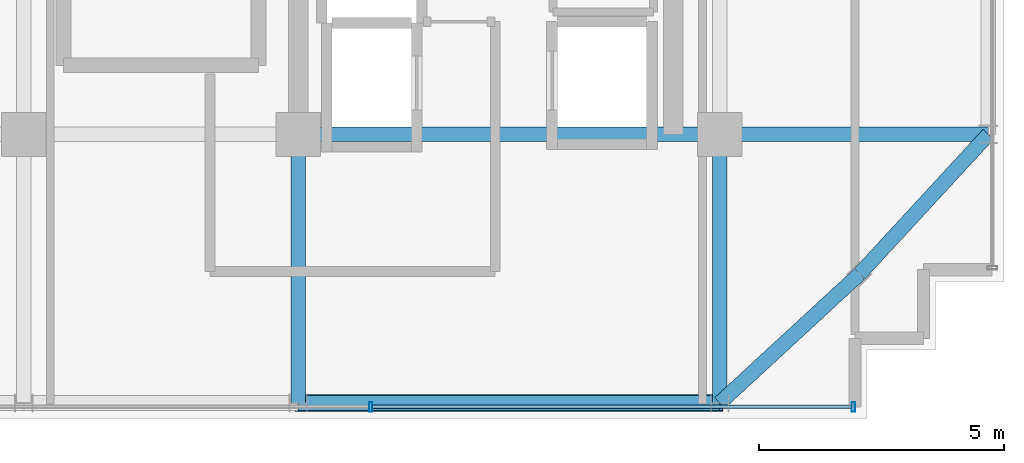
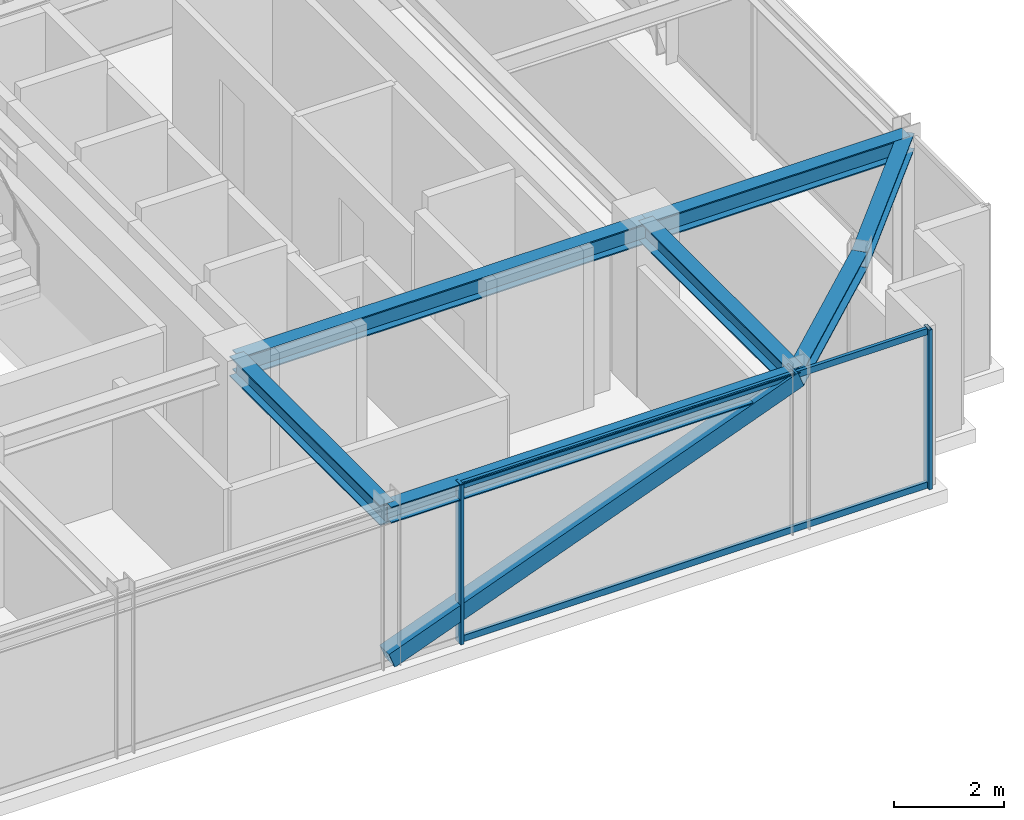
# One storey, part 16 of 40: 7 beams, 5 members, 1 element without a shape of its own.
"""IFC4 building model written with IfcOpenShell, lengths in metres."""

import ifcopenshell
import ifcopenshell.guid

model = None  # the IFC model being written
_history = None  # IfcOwnerHistory: only IFC2X3 demands one
_inside = {}  # id of a spatial element -> (the spatial element, [elements in it])
_under = {}  # id of a project, library or spatial element -> (it, [spatial elements below it])
_declared = {}  # id of a project -> (the project, [libraries it declares])
_typed = {}  # id of a type object -> (the type object, [elements of that type])
_made_of = {}  # id of a material, layer set ... -> (it, [elements and type objects made of it])


def new_model(schema):
    """Start an empty IFC model of exactly this schema.

    Asked for "IFC4X3", IfcOpenShell would pick the latest addendum, in which some entities
    have other attributes; the version numbers below select the first issue.
    IFC2X3 requires an IfcOwnerHistory on every rooted entity: one is made here for all.
    """
    global model, _history
    if schema == "IFC4X3":
        model = ifcopenshell.file(schema_version=(4, 3, 0, 0))
    else:
        model = ifcopenshell.file(schema=schema)
    _inside.clear()
    _under.clear()
    _declared.clear()
    _typed.clear()
    _made_of.clear()
    _history = None
    if model.schema == "IFC2X3":
        org = make("IfcOrganization", Name="unknown")
        user = make(
            "IfcPersonAndOrganization",
            ThePerson=make("IfcPerson", FamilyName="unknown"),
            TheOrganization=org,
        )
        app = make(
            "IfcApplication",
            ApplicationDeveloper=org,
            Version="unknown",
            ApplicationFullName="unknown",
            ApplicationIdentifier="unknown",
        )
        _history = make(
            "IfcOwnerHistory",
            OwningUser=user,
            OwningApplication=app,
            ChangeAction="ADDED",
            CreationDate=0,
        )
    return model


def make(cls, **values):
    """One entity of the class cls with the attributes given. An attribute that is None is left unset."""
    return model.create_entity(
        cls, **{name: value for name, value in values.items() if value is not None}
    )


def rooted(cls, **values):
    """An entity with a GlobalId (a new one), such as an element, a storey or a relation."""
    return make(cls, GlobalId=ifcopenshell.guid.new(), OwnerHistory=_history, **values)


def si_unit(unit_type, name, prefix=None):
    """IfcSIUnit, for example si_unit("LENGTHUNIT", "METRE", prefix="MILLI")."""
    return make("IfcSIUnit", UnitType=unit_type, Prefix=prefix, Name=name)


def assignment(units):
    """IfcUnitAssignment: the units of a project."""
    return None if units is None else make("IfcUnitAssignment", Units=units)


def point(xyz):
    """IfcCartesianPoint."""
    return None if xyz is None else make("IfcCartesianPoint", Coordinates=xyz)


def direction(xyz):
    """IfcDirection."""
    return None if xyz is None else make("IfcDirection", DirectionRatios=xyz)


def frame(location, z_axis=None, x_axis=None):
    """IfcAxis2Placement3D, a coordinate frame: its origin and axes. An axis left out is left unset."""
    return make(
        "IfcAxis2Placement3D",
        Location=point(location),
        Axis=direction(z_axis),
        RefDirection=direction(x_axis),
    )


def frame_2d(location, x_axis=None):
    """IfcAxis2Placement2D, a coordinate frame in the plane: its origin and x axis."""
    return make(
        "IfcAxis2Placement2D", Location=point(location), RefDirection=direction(x_axis)
    )


def origin():
    """The frame at (0, 0, 0) with its axes left unset."""
    return frame((0.0, 0.0, 0.0))


def origin_2d():
    """The frame at (0, 0) in the plane with its x axis left unset."""
    return frame_2d((0.0, 0.0))


def place(relative_to, where):
    """IfcLocalPlacement: puts the frame where relative to a parent placement (None: the world)."""
    return make(
        "IfcLocalPlacement", PlacementRelTo=relative_to, RelativePlacement=where
    )


def context(
    kind, dimensions, precision=None, world=None, true_north=None, identifier=None
):
    """IfcGeometricRepresentationContext, for example the 3D "Model" context."""
    return make(
        "IfcGeometricRepresentationContext",
        ContextIdentifier=identifier,
        ContextType=kind,
        CoordinateSpaceDimension=dimensions,
        Precision=precision,
        WorldCoordinateSystem=world,
        TrueNorth=true_north,
    )


def subcontext(parent, identifier, kind, view, scale=None):
    """IfcGeometricRepresentationSubContext, for example "Body" below "Model"."""
    return make(
        "IfcGeometricRepresentationSubContext",
        ContextIdentifier=identifier,
        ContextType=kind,
        ParentContext=parent,
        TargetScale=scale,
        TargetView=view,
    )


def project(units=None, contexts=None):
    """IfcProject with its units and contexts."""
    return rooted(
        "IfcProject",
        Name="project",
        RepresentationContexts=contexts,
        UnitsInContext=assignment(units),
    )


def spatial(cls, under=None, at=None, **own):
    """A site, building, storey or space (cls), placed at a placement, below another one or the project."""
    s = rooted(cls, ObjectPlacement=at, **own)
    if under is not None:
        _under.setdefault(under.id(), (under, []))[1].append(s)
    return s


def profile(cls, at=None, kind="AREA", **sizes):
    """A parametric profile (cls). Its sizes go by their IFC names, for example OverallWidth=200.0."""
    return make(cls, ProfileType=kind, Position=at, **sizes)


def hollow_rectangle(**sizes):
    """IfcRectangleHollowProfileDef."""
    return profile("IfcRectangleHollowProfileDef", **sizes)


def i_section(**sizes):
    """IfcIShapeProfileDef."""
    return profile("IfcIShapeProfileDef", **sizes)


def extrude(swept, where, along, depth):
    """IfcExtrudedAreaSolid: the profile swept, set in the frame where, extruded along a direction by depth."""
    return make(
        "IfcExtrudedAreaSolid",
        SweptArea=swept,
        Position=where,
        ExtrudedDirection=direction(along),
        Depth=depth,
    )


def shape(context_of_items, identifier, shape_type, items):
    """IfcShapeRepresentation: the items that make up one representation, for example the "Body"."""
    return make(
        "IfcShapeRepresentation",
        ContextOfItems=context_of_items,
        RepresentationIdentifier=identifier,
        RepresentationType=shape_type,
        Items=items,
    )


def source(mapping_origin, context_of_items, identifier, shape_type, items):
    """IfcRepresentationMap: a shape defined once, which mapped items show again and again."""
    return make(
        "IfcRepresentationMap",
        MappingOrigin=mapping_origin,
        MappedRepresentation=shape(context_of_items, identifier, shape_type, items),
    )


def transform(
    local_origin,
    x_axis=None,
    y_axis=None,
    z_axis=None,
    scale=None,
    scale2=None,
    scale3=None,
    uniform=True,
):
    """IfcCartesianTransformationOperator3D, or its non-uniform kind. x_axis, y_axis, z_axis: its Axis1, 2, 3."""
    if uniform:
        return make(
            "IfcCartesianTransformationOperator3D",
            Axis1=direction(x_axis),
            Axis2=direction(y_axis),
            LocalOrigin=point(local_origin),
            Scale=scale,
            Axis3=direction(z_axis),
        )
    return make(
        "IfcCartesianTransformationOperator3DnonUniform",
        Axis1=direction(x_axis),
        Axis2=direction(y_axis),
        LocalOrigin=point(local_origin),
        Scale=scale,
        Axis3=direction(z_axis),
        Scale2=scale2,
        Scale3=scale3,
    )


def mapped(mapping_source, mapping_target):
    """IfcMappedItem: shows the shape of a source again, moved by a transform."""
    return make(
        "IfcMappedItem", MappingSource=mapping_source, MappingTarget=mapping_target
    )


def material(Name=None, Category=None):
    """IfcMaterial."""
    return make("IfcMaterial", Name=Name, Category=Category)


def material_profile(
    of_material, cross_section, Name=None, Category=None, Priority=None
):
    """IfcMaterialProfile: a cross section and its material."""
    return make(
        "IfcMaterialProfile",
        Name=Name,
        Material=of_material,
        Profile=cross_section,
        Priority=Priority,
        Category=Category,
    )


def profile_set(profiles, Name=None, composite=None):
    """IfcMaterialProfileSet."""
    return make(
        "IfcMaterialProfileSet",
        Name=Name,
        MaterialProfiles=profiles,
        CompositeProfile=composite,
    )


def made_of(thing, what):
    """Note that an element or type object is made of a material, layer set ...; save() writes the relation."""
    if what is not None:
        _made_of.setdefault(what.id(), (what, []))[1].append(thing)
    return thing


def type_object(cls, material=None, **own):
    """A type object (cls), such as IfcWallType, which elements share."""
    return made_of(rooted(cls, **own), material)


def element(
    cls,
    number,
    at=None,
    inside=None,
    cuts=None,
    type_object=None,
    material=None,
    context=None,
    identifier="Body",
    shape_type=None,
    held_by="IfcProductDefinitionShape",
    body=None,
    shapes=None,
    **own,
):
    """One element of the class cls, such as IfcWall. Its Tag is "e" and its number.

    at: its placement. inside: the storey or other place that contains it. cuts: it is an
    opening in that element (IfcRelVoidsElement). A single representation is given by context,
    identifier, shape_type and body (its items); several are given by shapes. held_by: the class
    of the entity that holds the representations. save() writes the other relations.
    """
    e = rooted(cls, Tag="e%d" % number, ObjectPlacement=at, **own)
    if body is not None:
        shapes = [shape(context, identifier, shape_type, body)]
    if shapes is not None:
        e.Representation = make(held_by, Representations=shapes)
    if inside is not None:
        _inside.setdefault(inside.id(), (inside, []))[1].append(e)
    if cuts is not None:
        rooted(
            "IfcRelVoidsElement", RelatingBuildingElement=cuts, RelatedOpeningElement=e
        )
    if type_object is not None:
        _typed.setdefault(type_object.id(), (type_object, []))[1].append(e)
    return made_of(e, material)


def aggregate(whole, parts):
    """IfcRelAggregates: a whole, such as a stair, and the parts it consists of."""
    return rooted("IfcRelAggregates", RelatingObject=whole, RelatedObjects=parts)


def save(model, path):
    """Write the relations noted so far, then the file.

    IfcRelAggregates (storeys below a building ...), IfcRelContainedInSpatialStructure (elements
    in a storey), IfcRelDefinesByType, IfcRelAssociatesMaterial and IfcRelDeclares: one each for
    every whole, place, type object, material and project.
    """
    for whole, parts in _under.values():
        aggregate(whole, parts)
    for where, things in _inside.values():
        rooted(
            "IfcRelContainedInSpatialStructure",
            RelatedElements=things,
            RelatingStructure=where,
        )
    for kind, things in _typed.values():
        rooted("IfcRelDefinesByType", RelatedObjects=things, RelatingType=kind)
    for what, things in _made_of.values():
        rooted("IfcRelAssociatesMaterial", RelatedObjects=things, RelatingMaterial=what)
    for by, libraries in _declared.values():
        rooted("IfcRelDeclares", RelatingContext=by, RelatedDefinitions=libraries)
    model.write(path)


model = new_model("IFC4")

# Units and contexts
model_context = context("Model", 3, precision=1e-05, world=origin(), true_north=direction((0.0, 1.0)))
body_context = subcontext(model_context, "Body", "Model", "MODEL_VIEW")
ifc_project = project(units=[si_unit("LENGTHUNIT", "METRE"), si_unit("AREAUNIT", "SQUARE_METRE"), si_unit("VOLUMEUNIT", "CUBIC_METRE"), si_unit("PLANEANGLEUNIT", "RADIAN"), si_unit("MASSUNIT", "GRAM", prefix="KILO")], contexts=[model_context])

# Site, building, storey
site_placement = place(None, origin())
site = spatial("IfcSite", under=ifc_project, at=site_placement, CompositionType="ELEMENT")
building_placement = place(site_placement, origin())
building = spatial("IfcBuilding", under=site, at=building_placement, Name="Nahalor Promenade Grand Hotel", CompositionType="ELEMENT")
storey_placement = place(building_placement, frame((0.0, 0.0, 288.800048828125)))
storey = spatial("IfcBuildingStorey", under=building, at=storey_placement, Name="L74", CompositionType="ELEMENT", Elevation=288.800048828125)

# Beams
ifc_material_1 = material(Name="Steel S355JR", Category="steel")
ifc_material_profile_1 = material_profile(ifc_material_1, i_section(OverallWidth=0.3, OverallDepth=0.45, WebThickness=0.014, FlangeThickness=0.026, at=origin_2d()), Name="HEB 450")
ifc_profile_set_1 = profile_set([ifc_material_profile_1], Name="Steel S355JR")
beam_type_1 = type_object("IfcBeamType", Name="Beam-Girder-HEB450", PredefinedType="BEAM", material=ifc_profile_set_1)
shared_shape_1 = source(origin(), body_context, "Body", "SweptSolid", [
    extrude(i_section(OverallWidth=0.3, OverallDepth=0.45, WebThickness=0.014, FlangeThickness=0.026, at=origin_2d()), origin(), (0.0, 0.0, 1.0), 8.60009765625),
])
beam_1_placement = place(storey_placement, frame((8.39990234375, -17.0, 3.324951171875), z_axis=(1.0, 0.0, 0.0), x_axis=(0.0, 1.0, 0.0)))
element("IfcBeam", 1, at=beam_1_placement, inside=storey, type_object=beam_type_1, Name="BM-L74-GX-0-5", PredefinedType="BEAM", context=body_context, shape_type="MappedRepresentation", body=[
    mapped(shared_shape_1, transform((0.0, 0.0, 0.0), scale=1.0)),
])
shared_shape_2 = source(origin(), body_context, "Body", "SweptSolid", [
    extrude(i_section(OverallWidth=0.3, OverallDepth=0.45, WebThickness=0.014, FlangeThickness=0.026, at=origin_2d()), origin(), (0.0, 0.0, 1.0), 5.47998046875),
])
for number, where, z_axis, x_axis, name in (
    (2, (17.0, -17.0, 3.324951171875), (1.0, 0.0, 0.0), (0.0, 1.0, 0.0), "BM-L74-GX-0-6"),
    (3, (8.39990234375, -22.47998046875, 3.324951171875), (0.0, 1.0, 0.0), (-1.0, 0.0, 0.0), "BM-L74-GY-4-0"),
    (4, (17.0, -22.47998046875, 3.324951171875), (0.0, 1.0, 0.0), (-1.0, 0.0, 0.0), "BM-L74-GY-5-0"),
):
    element("IfcBeam", number, at=place(storey_placement, frame(where, z_axis=z_axis, x_axis=x_axis)), inside=storey, type_object=beam_type_1, Name=name, PredefinedType="BEAM", context=body_context, shape_type="MappedRepresentation", body=[
        mapped(shared_shape_2, transform((0.0, 0.0, 0.0), scale=1.0)),
    ])
ifc_material_profile_2 = material_profile(ifc_material_1, i_section(OverallWidth=0.3, OverallDepth=0.36, WebThickness=0.0125, FlangeThickness=0.0225, at=origin_2d()), Name="HEB 360")
ifc_profile_set_2 = profile_set([ifc_material_profile_2], Name="Steel S355JR")
beam_type_2 = type_object("IfcBeamType", Name="Beam-Spandrel-HEB360", PredefinedType="SPANDREL", material=ifc_profile_set_2)
shared_shape_3 = source(origin(), body_context, "Body", "SweptSolid", [
    extrude(i_section(OverallWidth=0.3, OverallDepth=0.36, WebThickness=0.0125, FlangeThickness=0.0225, at=origin_2d()), origin(), (0.0, 0.0, 1.0), 8.60009765625),
])
beam_2_placement = place(storey_placement, frame((8.39990234375, -22.47998046875, 3.369873046875), z_axis=(1.0, 0.0, 0.0), x_axis=(0.0, 1.0, 0.0)))
element("IfcBeam", 5, at=beam_2_placement, inside=storey, type_object=beam_type_2, Name="BM-L74-SP-S-4", PredefinedType="SPANDREL", context=body_context, shape_type="MappedRepresentation", body=[
    mapped(shared_shape_3, transform((0.0, 0.0, 0.0), scale=1.0)),
])
shared_shape_4 = source(origin(), body_context, "Body", "SweptSolid", [
    extrude(i_section(OverallWidth=0.3, OverallDepth=0.36, WebThickness=0.0125, FlangeThickness=0.0225, at=origin_2d()), origin(), (0.0, 0.0, 1.0), 3.878173828125),
])
for number, where, z_axis, x_axis, name in (
    (6, (17.0, -22.47998046875, 3.369873046875), (0.73492893846, 0.678144125843, 0.0), (-0.678144125843, 0.73492893846, 0.0), "BM-L74-SPC-SE-1"),
    (7, (19.85009765625, -19.85009765625, 3.369873046875), (0.678144125843, 0.73492893846, 0.0), (-0.73492893846, 0.678144125843, 0.0), "BM-L74-SPC-SE-2"),
):
    element("IfcBeam", number, at=place(storey_placement, frame(where, z_axis=z_axis, x_axis=x_axis)), inside=storey, type_object=beam_type_2, Name=name, PredefinedType="SPANDREL", context=body_context, shape_type="MappedRepresentation", body=[
        mapped(shared_shape_4, transform((0.0, 0.0, 0.0), scale=1.0)),
    ])

# Member
ifc_material_profile_3 = material_profile(ifc_material_1, hollow_rectangle(XDim=0.35, YDim=0.35, WallThickness=0.02, at=origin_2d()), Name="SHS 350x350x20")
ifc_profile_set_3 = profile_set([ifc_material_profile_3], Name="Steel S355JR")
member_type_1 = type_object("IfcMemberType", Name="Mem-VoidBrace-SHS350", PredefinedType="BRACE", material=ifc_profile_set_3)
shared_shape_5 = source(origin(), body_context, "Body", "SweptSolid", [
    extrude(hollow_rectangle(XDim=0.35, YDim=0.35, WallThickness=0.02, at=origin_2d()), origin(), (0.0, 0.0, 1.0), 9.193603515625),
])
member_1_placement = place(storey_placement, frame((8.39990234375, -22.47998046875, 0.14990234375), z_axis=(0.935433460247, 0.0, 0.353502816749), x_axis=(0.0, 1.0, 0.0)))
element("IfcMember", 8, at=member_1_placement, inside=storey, type_object=member_type_1, Name="EXO-L74-S-1", PredefinedType="BRACE", context=body_context, shape_type="MappedRepresentation", body=[
    mapped(shared_shape_5, transform((0.0, 0.0, 0.0), scale=1.0)),
])

# Curtain wall, members
ifc_material_2 = material(Name="Anodised Bronze Aluminium EN AW-6063 T6", Category="aluminium")
curtain_wall_type = type_object("IfcCurtainWallType", Name="CW3 Elliptical-Void Collar Unitised Curtain Wall", PredefinedType="USERDEFINED", material=ifc_material_2)
curtain_wall_placement = place(storey_placement, origin())
curtain_wall = element("IfcCurtainWall", 9, at=curtain_wall_placement, inside=storey, type_object=curtain_wall_type, Name="L74 Curtain Wall CW-L74-S-1", ObjectType="UNITISED_CURTAIN_WALL", PredefinedType="USERDEFINED")
ifc_material_profile_4 = material_profile(ifc_material_2, hollow_rectangle(XDim=0.07, YDim=0.14, WallThickness=0.004, at=origin_2d()), Name="CWT 70x140x4")
ifc_profile_set_4 = profile_set([ifc_material_profile_4], Name="Anodised Bronze Aluminium EN AW-6063 T6")
member_type_2 = type_object("IfcMemberType", Name="CWT3 Void Collar Transom 70x140", PredefinedType="USERDEFINED", material=ifc_profile_set_4)
shared_shape_6 = source(origin(), body_context, "Body", "SweptSolid", [
    extrude(hollow_rectangle(XDim=0.07, YDim=0.14, WallThickness=0.004, at=origin_2d()), origin(), (0.0, 0.0, 1.0), 9.77490234375),
])
member_2_placement = place(storey_placement, frame((9.9150390625, -22.56005859375, 0.070068359375), z_axis=(1.0, 0.0, 0.0), x_axis=(0.0, 1.0, 0.0)))
member_2 = element("IfcMember", 10, at=member_2_placement, type_object=member_type_2, Name="CW-L74-S-1 Transom 3-0", ObjectType="TRANSOM", PredefinedType="USERDEFINED", context=body_context, shape_type="MappedRepresentation", body=[
    mapped(shared_shape_6, transform((0.0, 0.0, 0.0), scale=1.0)),
])
member_3_placement = place(storey_placement, frame((9.9150390625, -22.56005859375, 3.47998046875), z_axis=(1.0, 0.0, 0.0), x_axis=(0.0, 1.0, 0.0)))
member_3 = element("IfcMember", 11, at=member_3_placement, type_object=member_type_2, Name="CW-L74-S-1 Transom 3-1", ObjectType="TRANSOM", PredefinedType="USERDEFINED", context=body_context, shape_type="MappedRepresentation", body=[
    mapped(shared_shape_6, transform((0.0, 0.0, 0.0), scale=1.0)),
])
ifc_material_profile_5 = material_profile(ifc_material_2, hollow_rectangle(XDim=0.07, YDim=0.2, WallThickness=0.005, at=origin_2d()), Name="CWM 70x200x5")
ifc_profile_set_5 = profile_set([ifc_material_profile_5], Name="Anodised Bronze Aluminium EN AW-6063 T6")
member_type_3 = type_object("IfcMemberType", Name="CWM3 Void Collar Mullion 70x200", PredefinedType="MULLION", material=ifc_profile_set_5)
shared_shape_7 = source(origin(), body_context, "Body", "SweptSolid", [
    extrude(hollow_rectangle(XDim=0.07, YDim=0.2, WallThickness=0.005, at=origin_2d()), origin(), (0.0, 0.0, 1.0), 3.550048828125),
])
member_4_placement = place(storey_placement, frame((9.8798828125, -22.56005859375, 0.0), z_axis=(0.0, 0.0, 1.0), x_axis=(1.0, 0.0, 0.0)))
member_4 = element("IfcMember", 12, at=member_4_placement, type_object=member_type_3, Name="CW-L74-S-1 Mullion 3", PredefinedType="MULLION", context=body_context, shape_type="MappedRepresentation", body=[
    mapped(shared_shape_7, transform((0.0, 0.0, 0.0), scale=1.0)),
])
member_5_placement = place(storey_placement, frame((19.72509765625, -22.56005859375, 0.0), z_axis=(0.0, 0.0, 1.0), x_axis=(1.0, 0.0, 0.0)))
member_5 = element("IfcMember", 13, at=member_5_placement, type_object=member_type_3, Name="CW-L74-S-1 Mullion 4", PredefinedType="MULLION", context=body_context, shape_type="MappedRepresentation", body=[
    mapped(shared_shape_7, transform((0.0, 0.0, 0.0), scale=1.0)),
])
aggregate(curtain_wall, [member_4, member_5, member_2, member_3])

save(model, "model.ifc")
